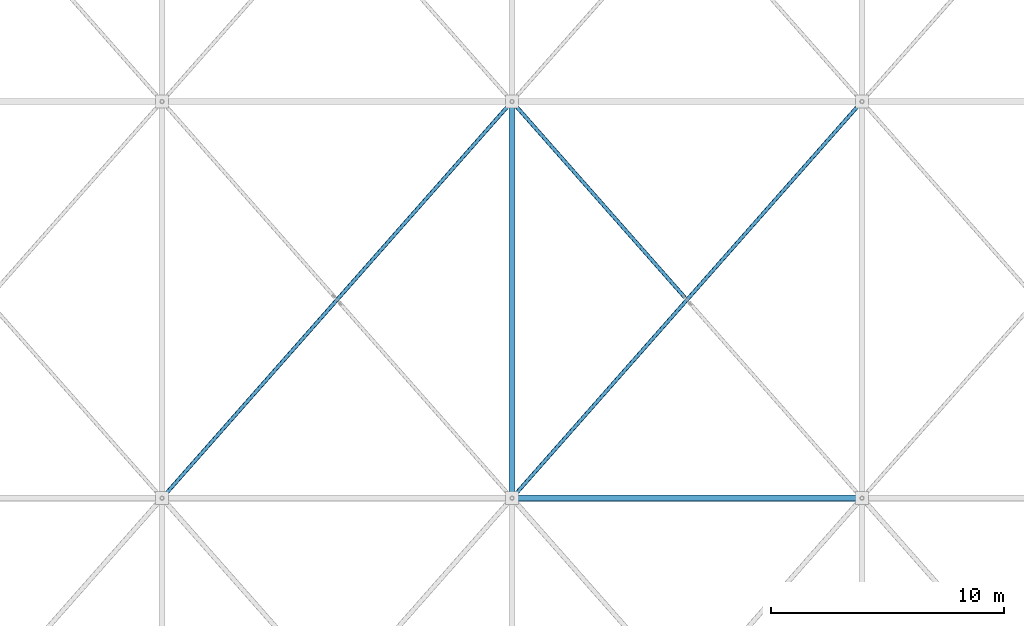
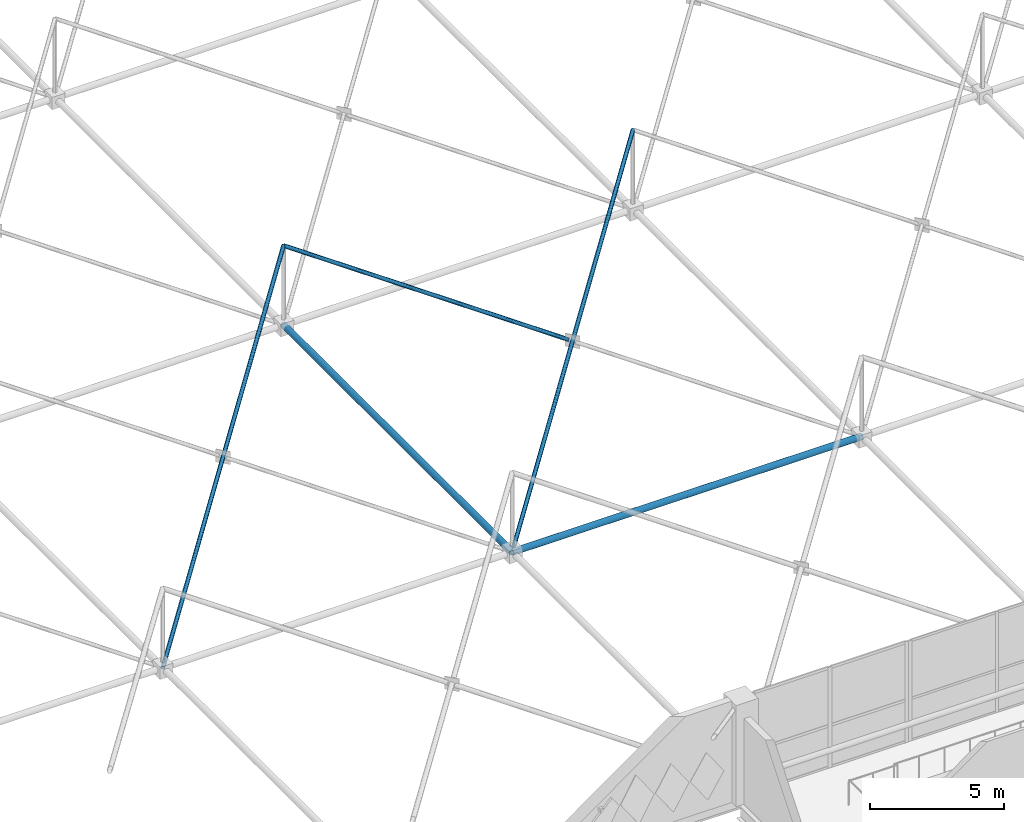
# One storey, part 53 of 224: 5 members.
"""IFC4 building model written with IfcOpenShell, lengths in metres."""

from ifc_helpers import new_model, si_unit, direction, frame, origin, origin_2d, place, context, subcontext, project, spatial, hollow_circle, extrude, material, material_profile, profile_set, type_object, element, save


model = new_model("IFC4")

# Units and contexts
model_context = context("Model", 3, precision=1e-05, world=origin(), true_north=direction((0.0, 1.0)))
body_context = subcontext(model_context, "Body", "Model", "MODEL_VIEW")
ifc_project = project(units=[si_unit("LENGTHUNIT", "METRE"), si_unit("AREAUNIT", "SQUARE_METRE"), si_unit("VOLUMEUNIT", "CUBIC_METRE"), si_unit("PLANEANGLEUNIT", "RADIAN"), si_unit("MASSUNIT", "GRAM", prefix="KILO")], contexts=[model_context])

# Site, building, storey
site_placement = place(None, origin())
site = spatial("IfcSite", under=ifc_project, at=site_placement, CompositionType="ELEMENT")
building_placement = place(site_placement, origin())
building = spatial("IfcBuilding", under=site, at=building_placement, Name="Qamarlyn Nura Convention Centre", CompositionType="ELEMENT")
storey_placement = place(building_placement, frame((0.0, 0.0, 10.800048828125)))
storey = spatial("IfcBuildingStorey", under=building, at=storey_placement, Name="L02", CompositionType="ELEMENT", Elevation=10.800048828125)

# Members
ifc_material = material(Name="Pearl-white PVDF steel ASTM A500 Grade C", Category="steel")
ifc_material_profile_1 = material_profile(ifc_material, hollow_circle(Radius=0.136474609375, WallThickness=0.012451171875, at=origin_2d()), Name="CHS273X12.5")
ifc_profile_set_1 = profile_set([ifc_material_profile_1], Name="Pearl-white PVDF steel ASTM A500 Grade C")
member_type_1 = type_object("IfcMemberType", Name="SF-BC-MAIN", PredefinedType="CHORD", material=ifc_profile_set_1)
member_1_placement = place(storey_placement, frame((60.0, 35.0, 0.800048828125), z_axis=(1.0, 0.0, 0.0), x_axis=(0.0, 1.0, 0.0)))
element("IfcMember", 1, at=member_1_placement, inside=storey, type_object=member_type_1, Name="ROOF TRUSS space frame bottom chord X6-3", PredefinedType="CHORD", context=body_context, shape_type="SweptSolid", body=[
    extrude(hollow_circle(Radius=0.136474609375, WallThickness=0.012451171875, at=origin_2d()), origin(), (0.0, 0.0, 1.0), 15.0),
])
member_2_placement = place(storey_placement, frame((60.0, 35.0, 0.800048828125), z_axis=(0.0, 1.0, 0.0), x_axis=(-1.0, 0.0, 0.0)))
element("IfcMember", 2, at=member_2_placement, inside=storey, type_object=member_type_1, Name="ROOF TRUSS space frame bottom chord Y6-3", PredefinedType="CHORD", context=body_context, shape_type="SweptSolid", body=[
    extrude(hollow_circle(Radius=0.136474609375, WallThickness=0.012451171875, at=origin_2d()), origin(), (0.0, 0.0, 1.0), 17.0),
])
ifc_material_profile_2 = material_profile(ifc_material, hollow_circle(Radius=0.084228515625, WallThickness=0.008056640625, at=origin_2d()), Name="CHS168.3X8")
ifc_profile_set_2 = profile_set([ifc_material_profile_2], Name="Pearl-white PVDF steel ASTM A500 Grade C")
member_type_2 = type_object("IfcMemberType", Name="SF-WEB-STD", PredefinedType="BRACE", material=ifc_profile_set_2)
for number, where, z_axis, x_axis, name in (
    (3, (45.0, 35.0, 0.800048828125), (0.653435715467, 0.74056047753, 0.156818190504), (-0.749837855365, 0.661621637087, 0.0), "ROOF TRUSS space frame diagonal A 5-3"),
    (4, (60.0, 35.0, 0.800048828125), (0.653435715467, 0.74056047753, 0.156818190504), (-0.749837855365, 0.661621637087, 0.0), "ROOF TRUSS space frame diagonal A 6-3"),
):
    element("IfcMember", number, at=place(storey_placement, frame(where, z_axis=z_axis, x_axis=x_axis)), inside=storey, type_object=member_type_2, Name=name, PredefinedType="BRACE", context=body_context, shape_type="SweptSolid", body=[
        extrude(hollow_circle(Radius=0.084228515625, WallThickness=0.008056640625, at=origin_2d()), origin(), (0.0, 0.0, 1.0), 22.95556640625),
    ])
member_3_placement = place(storey_placement, frame((67.408447265625, 43.603759765625, 2.6220703125), z_axis=(-0.653436826791, 0.740561737029, 0.156807611557), x_axis=(-0.749837855365, -0.661621637087, 0.0)))
element("IfcMember", 5, at=member_3_placement, inside=storey, type_object=member_type_2, Name="ROOF TRUSS space frame split diagonal B2 6-3", PredefinedType="BRACE", context=body_context, shape_type="SweptSolid", body=[
    extrude(hollow_circle(Radius=0.084228515625, WallThickness=0.008056640625, at=origin_2d()), origin(), (0.0, 0.0, 1.0), 11.337646484375),
])

save(model, "model.ifc")
